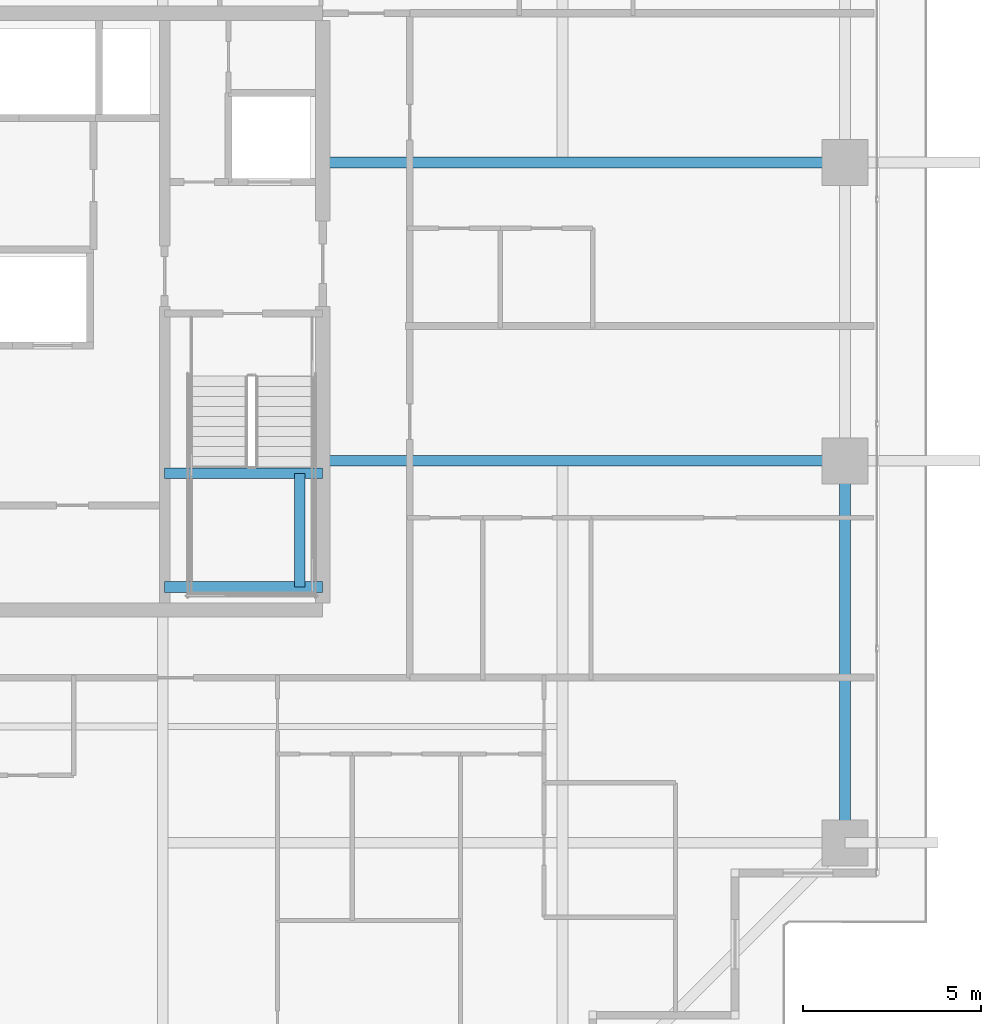
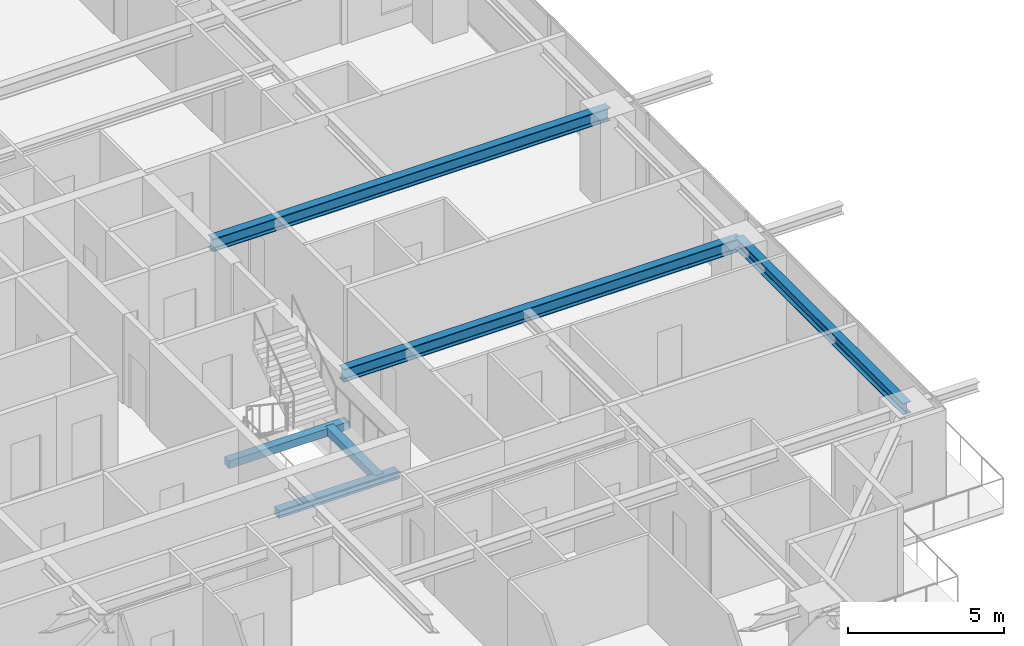
# One storey, part 14 of 34: 6 beams.
"""IFC4 building model written with IfcOpenShell, lengths in metres."""

from ifc_helpers import new_model, si_unit, direction, frame, origin, origin_2d, place, context, subcontext, project, spatial, rectangle, i_section, extrude, source, transform, mapped, material, material_profile, profile_set, type_object, element, save


model = new_model("IFC4")

# Units and contexts
model_context = context("Model", 3, precision=1e-05, world=origin(), true_north=direction((0.0, 1.0)))
body_context = subcontext(model_context, "Body", "Model", "MODEL_VIEW")
ifc_project = project(units=[si_unit("LENGTHUNIT", "METRE"), si_unit("AREAUNIT", "SQUARE_METRE"), si_unit("VOLUMEUNIT", "CUBIC_METRE"), si_unit("PLANEANGLEUNIT", "RADIAN"), si_unit("MASSUNIT", "GRAM", prefix="KILO")], contexts=[model_context])

# Site, building, storey
site_placement = place(None, origin())
site = spatial("IfcSite", under=ifc_project, at=site_placement, CompositionType="ELEMENT")
building_placement = place(site_placement, origin())
building = spatial("IfcBuilding", under=site, at=building_placement, Name="Serunith Strait Residences", CompositionType="ELEMENT")
storey_placement = place(building_placement, frame((0.0, 0.0, 187.64990234375)))
storey = spatial("IfcBuildingStorey", under=building, at=storey_placement, Name="L47", CompositionType="ELEMENT", Elevation=187.64990234375)

# Beams
ifc_material_1 = material(Name="Steel S355J2", Category="steel")
ifc_material_profile_1 = material_profile(ifc_material_1, i_section(OverallWidth=0.300048828125, OverallDepth=0.5, WebThickness=0.014404296875, FlangeThickness=0.028076171875, FilletRadius=0.027099609375, at=origin_2d()), Name="HEB 500")
ifc_profile_set_1 = profile_set([ifc_material_profile_1], Name="Steel S355J2")
beam_type_1 = type_object("IfcBeamType", Name="BM-HEB500", PredefinedType="BEAM", material=ifc_profile_set_1)
shared_shape_1 = source(origin(), body_context, "Body", "SweptSolid", [
    extrude(i_section(OverallWidth=0.300048828125, OverallDepth=0.5, WebThickness=0.014404296875, FlangeThickness=0.028076171875, FilletRadius=0.027099609375, at=origin_2d()), origin(), (0.0, 0.0, 1.0), 14.7001953125),
])
for number, where, z_axis, x_axis, name in (
    (1, (41.39990234375, 21.0, 3.237060546875), (1.0, 0.0, 0.0), (0.0, 1.0, 0.0), "L47 Primary Floor Girder TC-E2"),
    (2, (41.39990234375, 29.39990234375, 3.237060546875), (1.0, 0.0, 0.0), (0.0, 1.0, 0.0), "L47 Primary Floor Girder TC-E3"),
):
    element("IfcBeam", number, at=place(storey_placement, frame(where, z_axis=z_axis, x_axis=x_axis)), inside=storey, type_object=beam_type_1, Name=name, PredefinedType="BEAM", context=body_context, shape_type="MappedRepresentation", body=[
        mapped(shared_shape_1, transform((0.0, 0.0, 0.0), scale=1.0)),
    ])
ifc_material_profile_2 = material_profile(ifc_material_1, i_section(OverallWidth=0.300048828125, OverallDepth=0.449951171875, WebThickness=0.013916015625, FlangeThickness=0.02587890625, FilletRadius=0.027099609375, at=origin_2d()), Name="HEB 450")
ifc_profile_set_2 = profile_set([ifc_material_profile_2], Name="Steel S355J2")
beam_type_2 = type_object("IfcBeamType", Name="BM-HEB450", PredefinedType="BEAM", material=ifc_profile_set_2)
shared_shape_2 = source(origin(), body_context, "Body", "SweptSolid", [
    extrude(i_section(OverallWidth=0.300048828125, OverallDepth=0.449951171875, WebThickness=0.013916015625, FlangeThickness=0.02587890625, FilletRadius=0.027099609375, at=origin_2d()), origin(), (0.0, 0.0, 1.0), 10.75),
])
beam_1_placement = place(storey_placement, frame((56.10009765625, 10.25, 3.26220703125), z_axis=(0.0, 1.0, 0.0), x_axis=(-1.0, 0.0, 0.0)))
element("IfcBeam", 3, at=beam_1_placement, inside=storey, type_object=beam_type_2, Name="L47 Perimeter Ring Beam 05", PredefinedType="BEAM", context=body_context, shape_type="MappedRepresentation", body=[
    mapped(shared_shape_2, transform((0.0, 0.0, 0.0), scale=1.0)),
])
ifc_material_2 = material(Name="Concrete C60/75", Category="concrete")
ifc_material_profile_3 = material_profile(ifc_material_2, rectangle(XDim=0.300048828125, YDim=0.300048828125, at=origin_2d()), Name="RC 300x300")
ifc_profile_set_3 = profile_set([ifc_material_profile_3], Name="Concrete C60/75")
beam_type_3 = type_object("IfcBeamType", Name="BM-LAND-300x300", PredefinedType="BEAM", material=ifc_profile_set_3)
shared_shape_3 = source(origin(), body_context, "Body", "SweptSolid", [
    extrude(rectangle(XDim=0.300048828125, YDim=0.300048828125, at=origin_2d()), origin(), (0.0, 0.0, 1.0), 3.199951171875),
])
beam_2_placement = place(storey_placement, frame((40.75, 17.449951171875, 1.525146484375), z_axis=(0.0, 1.0, 0.0), x_axis=(-1.0, 0.0, 0.0)))
element("IfcBeam", 4, at=beam_2_placement, inside=storey, type_object=beam_type_3, Name="L47 ST-2 Landing Transverse Tie Beam", PredefinedType="BEAM", context=body_context, shape_type="MappedRepresentation", body=[
    mapped(shared_shape_3, transform((0.0, 0.0, 0.0), scale=1.0)),
])
shared_shape_4 = source(origin(), body_context, "Body", "SweptSolid", [
    extrude(rectangle(XDim=0.300048828125, YDim=0.300048828125, at=origin_2d()), origin(), (0.0, 0.0, 1.0), 4.449951171875),
])
for number, where, z_axis, x_axis, name in (
    (5, (36.949951171875, 17.449951171875, 1.525146484375), (1.0, 0.0, 0.0), (0.0, 1.0, 0.0), "L47 ST-2 Landing Support Beam 1"),
    (6, (36.949951171875, 20.64990234375, 1.525146484375), (1.0, 0.0, 0.0), (0.0, 1.0, 0.0), "L47 ST-2 Landing Support Beam 2"),
):
    element("IfcBeam", number, at=place(storey_placement, frame(where, z_axis=z_axis, x_axis=x_axis)), inside=storey, type_object=beam_type_3, Name=name, PredefinedType="BEAM", context=body_context, shape_type="MappedRepresentation", body=[
        mapped(shared_shape_4, transform((0.0, 0.0, 0.0), scale=1.0)),
    ])

save(model, "model.ifc")
